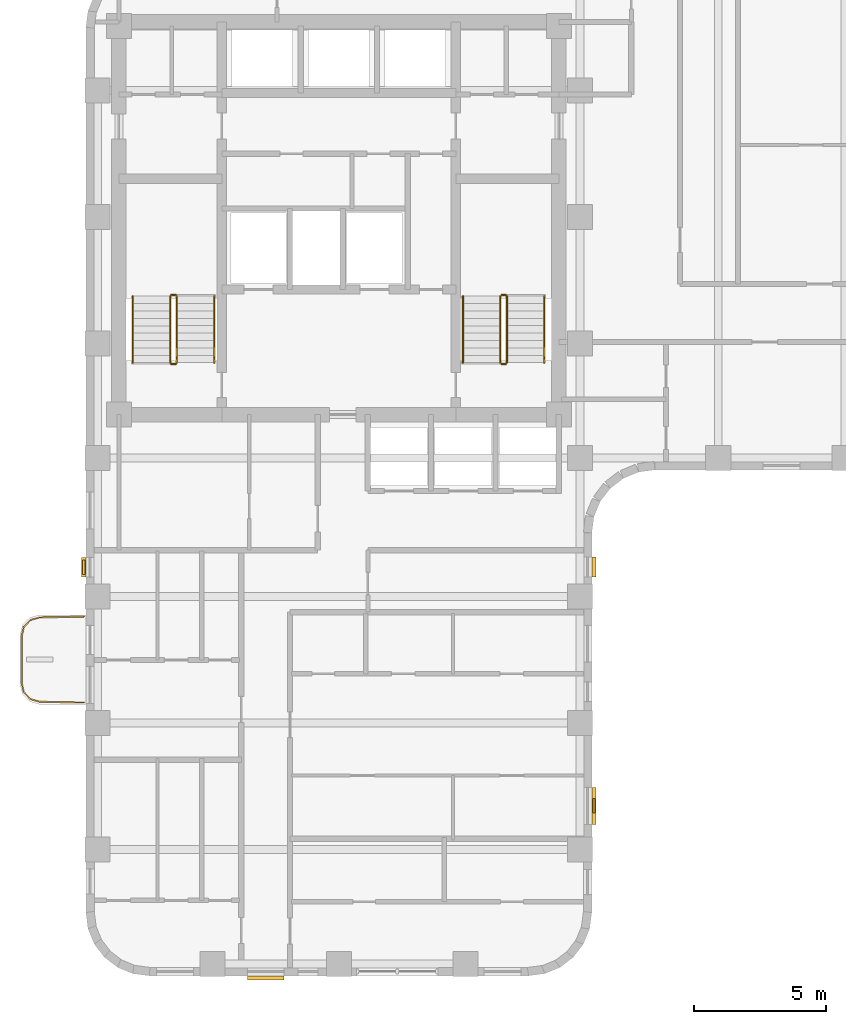
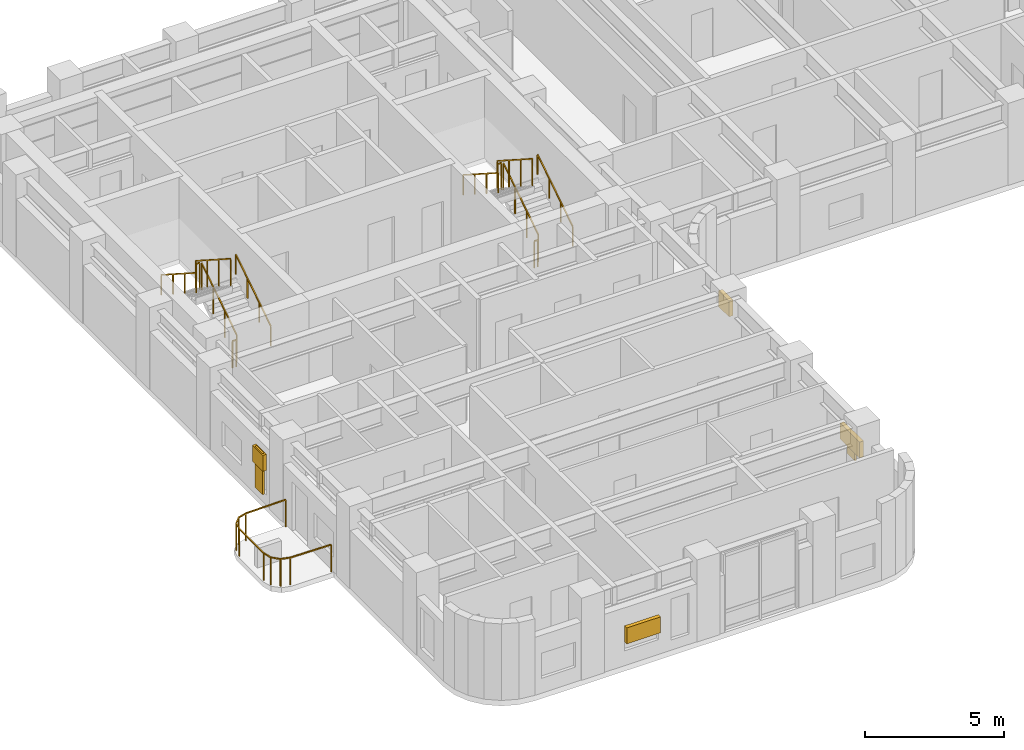
# One storey, part 10 of 11: 13 railings, 6 shading devices.
"""IFC4 building model written with IfcOpenShell, lengths in metres."""

from ifc_helpers import new_model, si_unit, direction, frame, origin, origin_2d, place, context, subcontext, project, spatial, rectangle, extrude, material, type_object, element, save


model = new_model("IFC4")

# Units and contexts
model_context = context("Model", 3, precision=1e-05, world=origin(), true_north=direction((0.0, 1.0)))
body_context = subcontext(model_context, "Body", "Model", "MODEL_VIEW")
ifc_project = project(units=[si_unit("LENGTHUNIT", "METRE"), si_unit("AREAUNIT", "SQUARE_METRE"), si_unit("VOLUMEUNIT", "CUBIC_METRE"), si_unit("PLANEANGLEUNIT", "RADIAN"), si_unit("MASSUNIT", "GRAM", prefix="KILO")], contexts=[model_context])

# Site, building, storey
site_placement = place(None, origin())
site = spatial("IfcSite", under=ifc_project, at=site_placement, CompositionType="ELEMENT")
building_placement = place(site_placement, origin())
building = spatial("IfcBuilding", under=site, at=building_placement, Name="Orvandelia Arch Residences", CompositionType="ELEMENT")
storey_placement = place(building_placement, frame((0.0, 0.0, 125.199951171875)))
storey = spatial("IfcBuildingStorey", under=building, at=storey_placement, Name="L32", CompositionType="ELEMENT", Elevation=125.199951171875)

# Railings
ifc_material_1 = material(Name="Marine-Grade Stainless Steel 316", Category="steel")
railing_type_1 = type_object("IfcRailingType", Name="GRD-BAL-1200", PredefinedType="BALUSTRADE", material=ifc_material_1)
railing_1_placement = place(storey_placement, frame((4.728271484375, 23.23046875, 0.0)))
element("IfcRailing", 1, at=railing_1_placement, inside=storey, type_object=railing_type_1, Name="Safety Balustrade Guard GRD-L32-BAL-L32-W1-1", PredefinedType="BALUSTRADE", context=body_context, shape_type="SweptSolid", body=[
    extrude(rectangle(XDim=0.048095703125, YDim=0.048095703125, at=origin_2d()), frame((0.0, 0.0, 1.19580078125), z_axis=(-0.999834751713, -0.018178813668, 0.0), x_axis=(0.018178813668, -0.999834751713, 0.0)), (0.0, 0.0, 1.0), 1.6787109375),
    extrude(rectangle(XDim=0.048095703125, YDim=0.048095703125, at=origin_2d()), frame((-1.678466796875, -0.030517578125, 1.19580078125), z_axis=(-0.96348920644, -0.267747173792, 0.0), x_axis=(0.267747173792, -0.96348920644, 0.0)), (0.0, 0.0, 1.0), 0.36572265625),
    extrude(rectangle(XDim=0.048095703125, YDim=0.048095703125, at=origin_2d()), frame((-2.03076171875, -0.12841796875, 1.19580078125), z_axis=(-0.688627404251, -0.725115368831, 0.0), x_axis=(0.725115368831, -0.688627404251, 0.0)), (0.0, 0.0, 1.0), 0.367919921875),
    extrude(rectangle(XDim=0.048095703125, YDim=0.048095703125, at=origin_2d()), frame((-2.2841796875, -0.395263671875, 1.19580078125), z_axis=(-0.220461657419, -0.975395641577, 0.0), x_axis=(0.975395641577, -0.220461657419, 0.0)), (0.0, 0.0, 1.0), 0.373291015625),
    extrude(rectangle(XDim=0.048095703125, YDim=0.048095703125, at=origin_2d()), frame((-2.366455078125, -0.75927734375, 1.19580078125), z_axis=(0.0, -1.0, 0.0), x_axis=(1.0, 0.0, 0.0)), (0.0, 0.0, 1.0), 1.742431640625),
    extrude(rectangle(XDim=0.048095703125, YDim=0.048095703125, at=origin_2d()), frame((-2.366455078125, -2.501708984375, 1.19580078125), z_axis=(0.220602419982, -0.975363815352, 0.0), x_axis=(0.975363815352, 0.220602419982, 0.0)), (0.0, 0.0, 1.0), 0.373046875),
    extrude(rectangle(XDim=0.048095703125, YDim=0.048095703125, at=origin_2d()), frame((-2.2841796875, -2.865478515625, 1.19580078125), z_axis=(0.688296224633, -0.725429739642, 0.0), x_axis=(0.725429739642, 0.688296224633, 0.0)), (0.0, 0.0, 1.0), 0.3681640625),
    extrude(rectangle(XDim=0.048095703125, YDim=0.048095703125, at=origin_2d()), frame((-2.03076171875, -3.132568359375, 1.19580078125), z_axis=(0.96348920644, -0.267747173792, 0.0), x_axis=(0.267747173792, 0.96348920644, 0.0)), (0.0, 0.0, 1.0), 0.36572265625),
    extrude(rectangle(XDim=0.048095703125, YDim=0.048095703125, at=origin_2d()), frame((-1.678466796875, -3.23046875, 1.19580078125), z_axis=(0.999834751713, -0.018178813668, 0.0), x_axis=(0.018178813668, 0.999834751713, 0.0)), (0.0, 0.0, 1.0), 1.6787109375),
    extrude(rectangle(XDim=0.0419921875, YDim=0.0419921875, at=origin_2d()), origin(), (0.0, 0.0, 1.0), 1.171875),
    extrude(rectangle(XDim=0.0419921875, YDim=0.0419921875, at=origin_2d()), frame((-1.678466796875, -0.030517578125, 0.0)), (0.0, 0.0, 1.0), 1.171875),
    extrude(rectangle(XDim=0.0419921875, YDim=0.0419921875, at=origin_2d()), frame((-2.03076171875, -0.12841796875, 0.0)), (0.0, 0.0, 1.0), 1.171875),
    extrude(rectangle(XDim=0.0419921875, YDim=0.0419921875, at=origin_2d()), frame((-2.2841796875, -0.395263671875, 0.0)), (0.0, 0.0, 1.0), 1.171875),
    extrude(rectangle(XDim=0.0419921875, YDim=0.0419921875, at=origin_2d()), frame((-2.366455078125, -0.75927734375, 0.0)), (0.0, 0.0, 1.0), 1.171875),
    extrude(rectangle(XDim=0.0419921875, YDim=0.0419921875, at=origin_2d()), frame((-2.366455078125, -2.501708984375, 0.0)), (0.0, 0.0, 1.0), 1.171875),
    extrude(rectangle(XDim=0.0419921875, YDim=0.0419921875, at=origin_2d()), frame((-2.2841796875, -2.865478515625, 0.0)), (0.0, 0.0, 1.0), 1.171875),
    extrude(rectangle(XDim=0.0419921875, YDim=0.0419921875, at=origin_2d()), frame((-2.03076171875, -3.132568359375, 0.0)), (0.0, 0.0, 1.0), 1.171875),
    extrude(rectangle(XDim=0.0419921875, YDim=0.0419921875, at=origin_2d()), frame((-1.678466796875, -3.23046875, 0.0)), (0.0, 0.0, 1.0), 1.171875),
    extrude(rectangle(XDim=0.0419921875, YDim=0.0419921875, at=origin_2d()), frame((0.0, -3.260986328125, 0.0)), (0.0, 0.0, 1.0), 1.171875),
])
ifc_material_2 = material(Name="Brushed Stainless Steel 304", Category="steel")
railing_type_2 = type_object("IfcRailingType", Name="RL-STAIR-GD1120", PredefinedType="GUARDRAIL", material=ifc_material_2)
railing_2_placement = place(storey_placement, frame((8.25, 32.8701171875, 0.179931640625)))
element("IfcRailing", 2, at=railing_2_placement, inside=storey, type_object=railing_type_2, Name="L32 ST-1 stair guard 1", PredefinedType="GUARDRAIL", context=body_context, shape_type="SweptSolid", body=[
    extrude(rectangle(XDim=0.048095703125, YDim=0.048095703125, at=origin_2d()), frame((0.0, 0.0, 1.17578125), z_axis=(0.0, 0.841138753965, 0.540819375188), x_axis=(-1.0, 0.0, 0.0)), (0.0, 0.0, 1.0), 2.99560546875),
    extrude(rectangle(XDim=0.0419921875, YDim=0.0419921875, at=origin_2d()), origin(), (0.0, 0.0, 1.0), 1.15185546875),
    extrude(rectangle(XDim=0.0419921875, YDim=0.0419921875, at=origin_2d()), frame((0.0, 0.83984375, 0.5400390625)), (0.0, 0.0, 1.0), 1.15185546875),
    extrude(rectangle(XDim=0.0419921875, YDim=0.0419921875, at=origin_2d()), frame((0.0, 1.679931640625, 1.080078125)), (0.0, 0.0, 1.0), 1.15185546875),
    extrude(rectangle(XDim=0.0419921875, YDim=0.0419921875, at=origin_2d()), frame((0.0, 2.519775390625, 1.6201171875)), (0.0, 0.0, 1.0), 1.15185546875),
])
railing_3_placement = place(storey_placement, frame((8.199951171875, 35.43994140625, 1.800048828125)))
element("IfcRailing", 3, at=railing_3_placement, inside=storey, type_object=railing_type_2, Name="L32 ST-1 stair guard 2", PredefinedType="GUARDRAIL", context=body_context, shape_type="SweptSolid", body=[
    extrude(rectangle(XDim=0.048095703125, YDim=0.048095703125, at=origin_2d()), frame((0.0, 0.0, 1.17578125), z_axis=(-1.0, 0.0, 0.0), x_axis=(0.0, -1.0, 0.0)), (0.0, 0.0, 1.0), 0.14990234375),
    extrude(rectangle(XDim=0.0419921875, YDim=0.0419921875, at=origin_2d()), origin(), (0.0, 0.0, 1.0), 1.15185546875),
    extrude(rectangle(XDim=0.0419921875, YDim=0.0419921875, at=origin_2d()), frame((-0.14990234375, 0.0, 0.0)), (0.0, 0.0, 1.0), 1.15185546875),
])
railing_4_placement = place(storey_placement, frame((8.0, 35.389892578125, 1.97998046875)))
element("IfcRailing", 4, at=railing_4_placement, inside=storey, type_object=railing_type_2, Name="L32 ST-1 stair guard 3", PredefinedType="GUARDRAIL", context=body_context, shape_type="SweptSolid", body=[
    extrude(rectangle(XDim=0.048095703125, YDim=0.048095703125, at=origin_2d()), frame((0.0, 0.0, 1.17578125), z_axis=(0.0, -0.841138753965, 0.540819375188), x_axis=(1.0, 0.0, 0.0)), (0.0, 0.0, 1.0), 2.99560546875),
    extrude(rectangle(XDim=0.0419921875, YDim=0.0419921875, at=origin_2d()), origin(), (0.0, 0.0, 1.0), 1.15185546875),
    extrude(rectangle(XDim=0.0419921875, YDim=0.0419921875, at=origin_2d()), frame((0.0, -0.83984375, 0.5400390625)), (0.0, 0.0, 1.0), 1.15185546875),
    extrude(rectangle(XDim=0.0419921875, YDim=0.0419921875, at=origin_2d()), frame((0.0, -1.679931640625, 1.080078125)), (0.0, 0.0, 1.0), 1.15185546875),
    extrude(rectangle(XDim=0.0419921875, YDim=0.0419921875, at=origin_2d()), frame((0.0, -2.519775390625, 1.6201171875)), (0.0, 0.0, 1.0), 1.15185546875),
])
railing_5_placement = place(storey_placement, frame((8.199951171875, 32.820068359375, 0.0)))
element("IfcRailing", 5, at=railing_5_placement, inside=storey, type_object=railing_type_2, Name="L32 ST-1 stair guard 4", PredefinedType="GUARDRAIL", context=body_context, shape_type="SweptSolid", body=[
    extrude(rectangle(XDim=0.048095703125, YDim=0.048095703125, at=origin_2d()), frame((0.0, 0.0, 1.17578125), z_axis=(-1.0, 0.0, 0.0), x_axis=(0.0, -1.0, 0.0)), (0.0, 0.0, 1.0), 0.14990234375),
    extrude(rectangle(XDim=0.0419921875, YDim=0.0419921875, at=origin_2d()), origin(), (0.0, 0.0, 1.0), 1.15185546875),
    extrude(rectangle(XDim=0.0419921875, YDim=0.0419921875, at=origin_2d()), frame((-0.14990234375, 0.0, 0.0)), (0.0, 0.0, 1.0), 1.15185546875),
])
railing_6_placement = place(storey_placement, frame((20.780029296875, 32.8701171875, 0.179931640625)))
element("IfcRailing", 6, at=railing_6_placement, inside=storey, type_object=railing_type_2, Name="L32 ST-2 stair guard 1", PredefinedType="GUARDRAIL", context=body_context, shape_type="SweptSolid", body=[
    extrude(rectangle(XDim=0.048095703125, YDim=0.048095703125, at=origin_2d()), frame((0.0, 0.0, 1.17578125), z_axis=(0.0, 0.841138753965, 0.540819375188), x_axis=(-1.0, 0.0, 0.0)), (0.0, 0.0, 1.0), 2.99560546875),
    extrude(rectangle(XDim=0.0419921875, YDim=0.0419921875, at=origin_2d()), origin(), (0.0, 0.0, 1.0), 1.15185546875),
    extrude(rectangle(XDim=0.0419921875, YDim=0.0419921875, at=origin_2d()), frame((0.0, 0.83984375, 0.5400390625)), (0.0, 0.0, 1.0), 1.15185546875),
    extrude(rectangle(XDim=0.0419921875, YDim=0.0419921875, at=origin_2d()), frame((0.0, 1.679931640625, 1.080078125)), (0.0, 0.0, 1.0), 1.15185546875),
    extrude(rectangle(XDim=0.0419921875, YDim=0.0419921875, at=origin_2d()), frame((0.0, 2.519775390625, 1.6201171875)), (0.0, 0.0, 1.0), 1.15185546875),
])
railing_7_placement = place(storey_placement, frame((20.72998046875, 35.43994140625, 1.800048828125)))
element("IfcRailing", 7, at=railing_7_placement, inside=storey, type_object=railing_type_2, Name="L32 ST-2 stair guard 2", PredefinedType="GUARDRAIL", context=body_context, shape_type="SweptSolid", body=[
    extrude(rectangle(XDim=0.048095703125, YDim=0.048095703125, at=origin_2d()), frame((0.0, 0.0, 1.17578125), z_axis=(-1.0, 0.0, 0.0), x_axis=(0.0, -1.0, 0.0)), (0.0, 0.0, 1.0), 0.14990234375),
    extrude(rectangle(XDim=0.0419921875, YDim=0.0419921875, at=origin_2d()), origin(), (0.0, 0.0, 1.0), 1.15185546875),
    extrude(rectangle(XDim=0.0419921875, YDim=0.0419921875, at=origin_2d()), frame((-0.14990234375, 0.0, 0.0)), (0.0, 0.0, 1.0), 1.15185546875),
])
railing_8_placement = place(storey_placement, frame((20.530029296875, 35.389892578125, 1.97998046875)))
element("IfcRailing", 8, at=railing_8_placement, inside=storey, type_object=railing_type_2, Name="L32 ST-2 stair guard 3", PredefinedType="GUARDRAIL", context=body_context, shape_type="SweptSolid", body=[
    extrude(rectangle(XDim=0.048095703125, YDim=0.048095703125, at=origin_2d()), frame((0.0, 0.0, 1.17578125), z_axis=(0.0, -0.841138753965, 0.540819375188), x_axis=(1.0, 0.0, 0.0)), (0.0, 0.0, 1.0), 2.99560546875),
    extrude(rectangle(XDim=0.0419921875, YDim=0.0419921875, at=origin_2d()), origin(), (0.0, 0.0, 1.0), 1.15185546875),
    extrude(rectangle(XDim=0.0419921875, YDim=0.0419921875, at=origin_2d()), frame((0.0, -0.83984375, 0.5400390625)), (0.0, 0.0, 1.0), 1.15185546875),
    extrude(rectangle(XDim=0.0419921875, YDim=0.0419921875, at=origin_2d()), frame((0.0, -1.679931640625, 1.080078125)), (0.0, 0.0, 1.0), 1.15185546875),
    extrude(rectangle(XDim=0.0419921875, YDim=0.0419921875, at=origin_2d()), frame((0.0, -2.519775390625, 1.6201171875)), (0.0, 0.0, 1.0), 1.15185546875),
])
railing_9_placement = place(storey_placement, frame((20.72998046875, 32.820068359375, 0.0)))
element("IfcRailing", 9, at=railing_9_placement, inside=storey, type_object=railing_type_2, Name="L32 ST-2 stair guard 4", PredefinedType="GUARDRAIL", context=body_context, shape_type="SweptSolid", body=[
    extrude(rectangle(XDim=0.048095703125, YDim=0.048095703125, at=origin_2d()), frame((0.0, 0.0, 1.17578125), z_axis=(-1.0, 0.0, 0.0), x_axis=(0.0, -1.0, 0.0)), (0.0, 0.0, 1.0), 0.14990234375),
    extrude(rectangle(XDim=0.0419921875, YDim=0.0419921875, at=origin_2d()), origin(), (0.0, 0.0, 1.0), 1.15185546875),
    extrude(rectangle(XDim=0.0419921875, YDim=0.0419921875, at=origin_2d()), frame((-0.14990234375, 0.0, 0.0)), (0.0, 0.0, 1.0), 1.15185546875),
])
railing_type_3 = type_object("IfcRailingType", Name="RL-STAIR-HR920", PredefinedType="HANDRAIL", material=ifc_material_2)
railing_10_placement = place(storey_placement, frame((9.669921875, 32.8701171875, 0.360107421875)))
element("IfcRailing", 10, at=railing_10_placement, inside=storey, type_object=railing_type_3, Name="L32 ST-1 stair handrail 1", PredefinedType="HANDRAIL", context=body_context, shape_type="SweptSolid", body=[
    extrude(rectangle(XDim=0.048095703125, YDim=0.048095703125, at=origin_2d()), frame((0.0, 0.0, 0.8759765625), z_axis=(0.0, 0.841175827307, 0.540761710511), x_axis=(-1.0, 0.0, 0.0)), (0.0, 0.0, 1.0), 2.99560546875),
    extrude(rectangle(XDim=0.0419921875, YDim=0.0419921875, at=origin_2d()), origin(), (0.0, 0.0, 1.0), 0.851806640625),
    extrude(rectangle(XDim=0.0419921875, YDim=0.0419921875, at=origin_2d()), frame((0.0, 0.83984375, 0.5400390625)), (0.0, 0.0, 1.0), 0.851806640625),
    extrude(rectangle(XDim=0.0419921875, YDim=0.0419921875, at=origin_2d()), frame((0.0, 1.679931640625, 1.079833984375)), (0.0, 0.0, 1.0), 0.851806640625),
    extrude(rectangle(XDim=0.0419921875, YDim=0.0419921875, at=origin_2d()), frame((0.0, 2.519775390625, 1.619873046875)), (0.0, 0.0, 1.0), 0.851806640625),
])
railing_11_placement = place(storey_placement, frame((6.580078125, 35.389892578125, 2.16015625)))
element("IfcRailing", 11, at=railing_11_placement, inside=storey, type_object=railing_type_3, Name="L32 ST-1 stair handrail 2", PredefinedType="HANDRAIL", context=body_context, shape_type="SweptSolid", body=[
    extrude(rectangle(XDim=0.048095703125, YDim=0.048095703125, at=origin_2d()), frame((0.0, 0.0, 0.8759765625), z_axis=(0.0, -0.841175827307, 0.540761710511), x_axis=(1.0, 0.0, 0.0)), (0.0, 0.0, 1.0), 2.99560546875),
    extrude(rectangle(XDim=0.0419921875, YDim=0.0419921875, at=origin_2d()), origin(), (0.0, 0.0, 1.0), 0.851806640625),
    extrude(rectangle(XDim=0.0419921875, YDim=0.0419921875, at=origin_2d()), frame((0.0, -0.83984375, 0.5400390625)), (0.0, 0.0, 1.0), 0.851806640625),
    extrude(rectangle(XDim=0.0419921875, YDim=0.0419921875, at=origin_2d()), frame((0.0, -1.679931640625, 1.079833984375)), (0.0, 0.0, 1.0), 0.851806640625),
    extrude(rectangle(XDim=0.0419921875, YDim=0.0419921875, at=origin_2d()), frame((0.0, -2.519775390625, 1.619873046875)), (0.0, 0.0, 1.0), 0.851806640625),
])
railing_12_placement = place(storey_placement, frame((22.199951171875, 32.8701171875, 0.360107421875)))
element("IfcRailing", 12, at=railing_12_placement, inside=storey, type_object=railing_type_3, Name="L32 ST-2 stair handrail 1", PredefinedType="HANDRAIL", context=body_context, shape_type="SweptSolid", body=[
    extrude(rectangle(XDim=0.048095703125, YDim=0.048095703125, at=origin_2d()), frame((0.0, 0.0, 0.8759765625), z_axis=(0.0, 0.841175827307, 0.540761710511), x_axis=(-1.0, 0.0, 0.0)), (0.0, 0.0, 1.0), 2.99560546875),
    extrude(rectangle(XDim=0.0419921875, YDim=0.0419921875, at=origin_2d()), origin(), (0.0, 0.0, 1.0), 0.851806640625),
    extrude(rectangle(XDim=0.0419921875, YDim=0.0419921875, at=origin_2d()), frame((0.0, 0.83984375, 0.5400390625)), (0.0, 0.0, 1.0), 0.851806640625),
    extrude(rectangle(XDim=0.0419921875, YDim=0.0419921875, at=origin_2d()), frame((0.0, 1.679931640625, 1.079833984375)), (0.0, 0.0, 1.0), 0.851806640625),
    extrude(rectangle(XDim=0.0419921875, YDim=0.0419921875, at=origin_2d()), frame((0.0, 2.519775390625, 1.619873046875)), (0.0, 0.0, 1.0), 0.851806640625),
])
railing_13_placement = place(storey_placement, frame((19.110107421875, 35.389892578125, 2.16015625)))
element("IfcRailing", 13, at=railing_13_placement, inside=storey, type_object=railing_type_3, Name="L32 ST-2 stair handrail 2", PredefinedType="HANDRAIL", context=body_context, shape_type="SweptSolid", body=[
    extrude(rectangle(XDim=0.048095703125, YDim=0.048095703125, at=origin_2d()), frame((0.0, 0.0, 0.8759765625), z_axis=(0.0, -0.841175827307, 0.540761710511), x_axis=(1.0, 0.0, 0.0)), (0.0, 0.0, 1.0), 2.99560546875),
    extrude(rectangle(XDim=0.0419921875, YDim=0.0419921875, at=origin_2d()), origin(), (0.0, 0.0, 1.0), 0.851806640625),
    extrude(rectangle(XDim=0.0419921875, YDim=0.0419921875, at=origin_2d()), frame((0.0, -0.83984375, 0.5400390625)), (0.0, 0.0, 1.0), 0.851806640625),
    extrude(rectangle(XDim=0.0419921875, YDim=0.0419921875, at=origin_2d()), frame((0.0, -1.679931640625, 1.079833984375)), (0.0, 0.0, 1.0), 0.851806640625),
    extrude(rectangle(XDim=0.0419921875, YDim=0.0419921875, at=origin_2d()), frame((0.0, -2.519775390625, 1.619873046875)), (0.0, 0.0, 1.0), 0.851806640625),
])

# Shading devices
ifc_material_3 = material(Name="Anodised Champagne-Bronze Extruded Aluminium", Category="aluminium")
shading_device_type_1 = type_object("IfcShadingDeviceType", Name="SHD-JALOUSIE-SCREEN", PredefinedType="JALOUSIE", material=ifc_material_3)
shading_device_1_placement = place(storey_placement, frame((24.080078125, 16.04638671875, 1.05029296875), z_axis=(0.0, 0.0, 1.0), x_axis=(0.0, -1.0, 0.0)))
element("IfcShadingDevice", 14, at=shading_device_1_placement, inside=storey, type_object=shading_device_type_1, Name="Bronze Jalousie Sun-Shade L32-006", PredefinedType="JALOUSIE", context=body_context, shape_type="SweptSolid", body=[
    extrude(rectangle(XDim=1.39990234375, YDim=0.159912109375, at=origin_2d()), origin(), (0.0, 0.0, 1.0), 0.699951171875),
])
shading_device_2_placement = place(storey_placement, frame((24.080078125, 25.117431640625, 1.55029296875), z_axis=(0.0, 0.0, 1.0), x_axis=(0.0, -1.0, 0.0)))
element("IfcShadingDevice", 15, at=shading_device_2_placement, inside=storey, type_object=shading_device_type_1, Name="Bronze Jalousie Sun-Shade L32-007", PredefinedType="JALOUSIE", context=body_context, shape_type="SweptSolid", body=[
    extrude(rectangle(XDim=0.75, YDim=0.159912109375, at=origin_2d()), origin(), (0.0, 0.0, 1.0), 0.699951171875),
])
shading_device_3_placement = place(storey_placement, frame((11.625, 9.52001953125, 1.05029296875), z_axis=(0.0, 0.0, 1.0), x_axis=(-1.0, 0.0, 0.0)))
element("IfcShadingDevice", 16, at=shading_device_3_placement, inside=storey, type_object=shading_device_type_1, Name="Bronze Jalousie Sun-Shade L32-008", PredefinedType="JALOUSIE", context=body_context, shape_type="SweptSolid", body=[
    extrude(rectangle(XDim=1.39990234375, YDim=0.159912109375, at=origin_2d()), origin(), (0.0, 0.0, 1.0), 0.699951171875),
])
shading_device_4_placement = place(storey_placement, frame((4.719970703125, 25.107421875, 1.55029296875), z_axis=(0.0, 0.0, 1.0), x_axis=(0.0, 1.0, 0.0)))
element("IfcShadingDevice", 17, at=shading_device_4_placement, inside=storey, type_object=shading_device_type_1, Name="Bronze Jalousie Sun-Shade L32-009", PredefinedType="JALOUSIE", context=body_context, shape_type="SweptSolid", body=[
    extrude(rectangle(XDim=0.75, YDim=0.159912109375, at=origin_2d()), origin(), (0.0, 0.0, 1.0), 0.699951171875),
])
ifc_material_4 = material(Name="Marine-Grade Perforated Aluminium Storm Shutter", Category="aluminium")
shading_device_type_2 = type_object("IfcShadingDeviceType", Name="SHD-STORM-SHUTTER", PredefinedType="SHUTTER", material=ifc_material_4)
shading_device_5_placement = place(storey_placement, frame((24.080078125, 16.04638671875, 0.64990234375), z_axis=(0.0, 0.0, 1.0), x_axis=(0.0, -1.0, 0.0)))
element("IfcShadingDevice", 18, at=shading_device_5_placement, inside=storey, type_object=shading_device_type_2, Name="Operable Typhoon Storm Shutter L32-006", PredefinedType="SHUTTER", context=body_context, shape_type="SweptSolid", body=[
    extrude(rectangle(XDim=0.550048828125, YDim=0.080078125, at=origin_2d()), origin(), (0.0, 0.0, 1.0), 1.10009765625),
])
shading_device_6_placement = place(storey_placement, frame((4.719970703125, 25.107421875, 0.4501953125), z_axis=(0.0, 0.0, 1.0), x_axis=(0.0, 1.0, 0.0)))
element("IfcShadingDevice", 19, at=shading_device_6_placement, inside=storey, type_object=shading_device_type_2, Name="Operable Typhoon Storm Shutter L32-009", PredefinedType="SHUTTER", context=body_context, shape_type="SweptSolid", body=[
    extrude(rectangle(XDim=0.550048828125, YDim=0.080078125, at=origin_2d()), origin(), (0.0, 0.0, 1.0), 1.800048828125),
])

save(model, "model.ifc")
